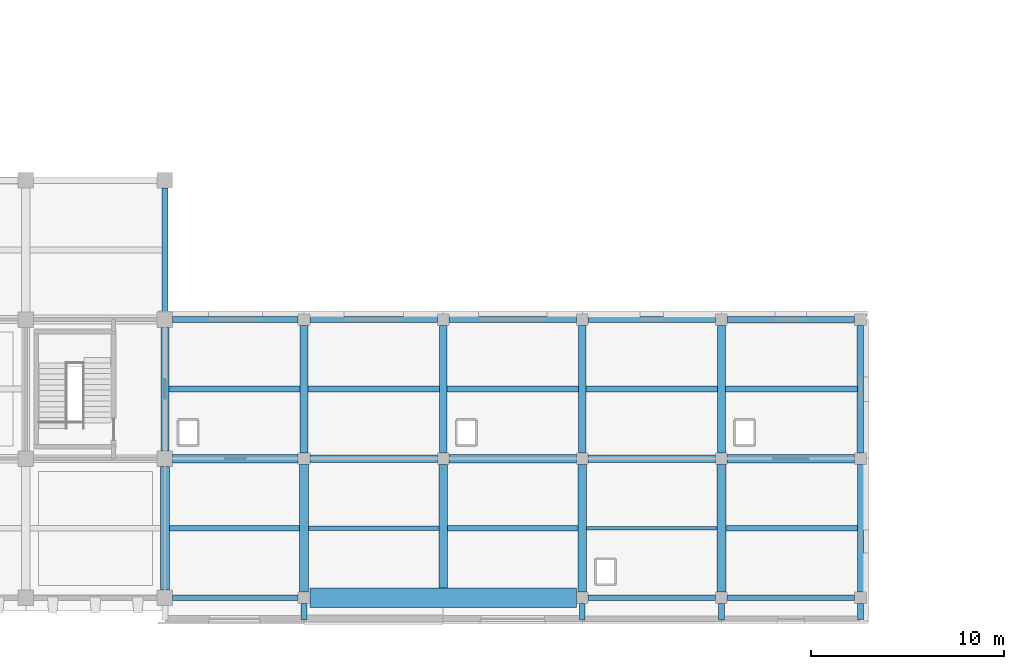
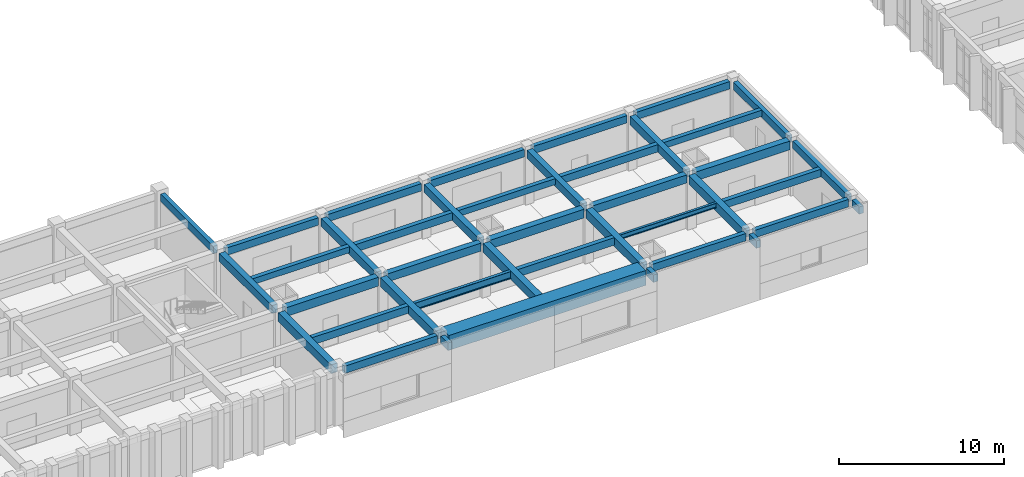
# One storey, part 7 of 70: 39 beams, 2 members.
"""IFC4 building model written with IfcOpenShell, lengths in metres."""

from ifc_helpers import new_model, si_unit, direction, frame, origin, origin_2d, place, context, subcontext, project, spatial, rectangle, i_section, extrude, material, material_profile, profile_set, type_object, element, save


model = new_model("IFC4")

# Units and contexts
model_context = context("Model", 3, precision=1e-05, world=origin(), true_north=direction((0.0, 1.0)))
body_context = subcontext(model_context, "Body", "Model", "MODEL_VIEW")
ifc_project = project(units=[si_unit("LENGTHUNIT", "METRE"), si_unit("AREAUNIT", "SQUARE_METRE"), si_unit("VOLUMEUNIT", "CUBIC_METRE"), si_unit("PLANEANGLEUNIT", "RADIAN"), si_unit("MASSUNIT", "GRAM", prefix="KILO")], contexts=[model_context])

# Site, building, storey
site_placement = place(None, origin())
site = spatial("IfcSite", under=ifc_project, at=site_placement, CompositionType="ELEMENT")
building_placement = place(site_placement, origin())
building = spatial("IfcBuilding", under=site, at=building_placement, Name="Kavelor Marine Aquarium", CompositionType="ELEMENT")
storey_placement = place(building_placement, frame((0.0, 0.0, 9.179931640625)))
storey = spatial("IfcBuildingStorey", under=building, at=storey_placement, Name="L02", CompositionType="ELEMENT", Elevation=9.179931640625)

# Beams
ifc_material_1 = material(Name="Concrete C40/50", Category="concrete")
ifc_material_profile_1 = material_profile(ifc_material_1, rectangle(XDim=0.449951171875, YDim=0.64990234375, at=origin_2d()), Name="RC-BM 450x650")
ifc_profile_set_1 = profile_set([ifc_material_profile_1], Name="Concrete C40/50")
beam_type_1 = type_object("IfcBeamType", Name="BM-B3", PredefinedType="BEAM", material=ifc_profile_set_1)
beam_1_placement = place(storey_placement, frame((68.39990234375, 10.0, 3.715087890625), z_axis=(1.0, 0.0, 0.0), x_axis=(0.0, 1.0, 0.0)))
element("IfcBeam", 1, at=beam_1_placement, inside=storey, type_object=beam_type_1, Name="bm:x:L02:L03:09_01", PredefinedType="BEAM", context=body_context, shape_type="SweptSolid", body=[
    extrude(rectangle(XDim=0.449951171875, YDim=0.64990234375, at=origin_2d()), origin(), (0.0, 0.0, 1.0), 6.5),
])
beam_2_placement = place(storey_placement, frame((82.699951171875, 10.0, 3.715087890625), z_axis=(1.0, 0.0, 0.0), x_axis=(0.0, 1.0, 0.0)))
element("IfcBeam", 2, at=beam_2_placement, inside=storey, type_object=beam_type_1, Name="bm:x:L02:L03:11_01", PredefinedType="BEAM", context=body_context, shape_type="SweptSolid", body=[
    extrude(rectangle(XDim=0.449951171875, YDim=0.64990234375, at=origin_2d()), origin(), (0.0, 0.0, 1.0), 6.60009765625),
])
beam_3_placement = place(storey_placement, frame((97.10009765625, 10.0, 3.715087890625), z_axis=(1.0, 0.0, 0.0), x_axis=(0.0, 1.0, 0.0)))
element("IfcBeam", 3, at=beam_3_placement, inside=storey, type_object=beam_type_1, Name="bm:x:L02:L03:13_01", PredefinedType="BEAM", context=body_context, shape_type="SweptSolid", body=[
    extrude(rectangle(XDim=0.449951171875, YDim=0.64990234375, at=origin_2d()), origin(), (0.0, 0.0, 1.0), 6.599853515625),
])
beam_4_placement = place(storey_placement, frame((68.0, 3.199951171875, 3.695068359375), z_axis=(0.0, 1.0, 0.0), x_axis=(-1.0, 0.0, 0.0)))
element("IfcBeam", 4, at=beam_4_placement, inside=storey, type_object=beam_type_1, Name="bm:y:L02:L03:09_00", PredefinedType="BEAM", context=body_context, shape_type="SweptSolid", body=[
    extrude(rectangle(XDim=0.449951171875, YDim=0.64990234375, at=origin_2d()), origin(), (0.0, 0.0, 1.0), 6.400146484375),
])
beam_5_placement = place(storey_placement, frame((75.199951171875, 3.10009765625, 3.715087890625), z_axis=(0.0, 1.0, 0.0), x_axis=(-1.0, 0.0, 0.0)))
element("IfcBeam", 5, at=beam_5_placement, inside=storey, type_object=beam_type_1, Name="bm:y:L02:L03:10_00", PredefinedType="BEAM", context=body_context, shape_type="SweptSolid", body=[
    extrude(rectangle(XDim=0.449951171875, YDim=0.64990234375, at=origin_2d()), origin(), (0.0, 0.0, 1.0), 6.599853515625),
])
beam_6_placement = place(storey_placement, frame((82.39990234375, 3.300048828125, 3.715087890625), z_axis=(0.0, 1.0, 0.0), x_axis=(-1.0, 0.0, 0.0)))
element("IfcBeam", 6, at=beam_6_placement, inside=storey, type_object=beam_type_1, Name="bm:y:L02:L03:11_00", PredefinedType="BEAM", context=body_context, shape_type="SweptSolid", body=[
    extrude(rectangle(XDim=0.449951171875, YDim=0.64990234375, at=origin_2d()), origin(), (0.0, 0.0, 1.0), 6.39990234375),
])
for number, where, z_axis, x_axis, name in (
    (7, (89.60009765625, 3.10009765625, 3.715087890625), (0.0, 1.0, 0.0), (-1.0, 0.0, 0.0), "bm:y:L02:L03:12_00"),
    (8, (96.800048828125, 3.10009765625, 3.715087890625), (0.0, 1.0, 0.0), (-1.0, 0.0, 0.0), "bm:y:L02:L03:13_00"),
):
    element("IfcBeam", number, at=place(storey_placement, frame(where, z_axis=z_axis, x_axis=x_axis)), inside=storey, type_object=beam_type_1, Name=name, PredefinedType="BEAM", context=body_context, shape_type="SweptSolid", body=[
        extrude(rectangle(XDim=0.449951171875, YDim=0.64990234375, at=origin_2d()), origin(), (0.0, 0.0, 1.0), 6.599853515625),
    ])
ifc_material_2 = material(Name="Concrete C40/50", Category="concrete")
ifc_material_profile_2 = material_profile(ifc_material_2, rectangle(XDim=0.39990234375, YDim=0.60009765625, at=origin_2d()), Name="RC-BM 400x600")
ifc_profile_set_2 = profile_set([ifc_material_profile_2], Name="Concrete C40/50")
beam_type_2 = type_object("IfcBeamType", Name="BM-B4", PredefinedType="BEAM", material=ifc_profile_set_2)
for number, where, z_axis, x_axis, name in (
    (9, (75.5, 10.0, 3.739990234375), (1.0, 0.0, 0.0), (0.0, 1.0, 0.0), "bm:x:L02:L03:10_01"),
    (10, (89.89990234375, 10.0, 3.739990234375), (1.0, 0.0, 0.0), (0.0, 1.0, 0.0), "bm:x:L02:L03:12_01"),
):
    element("IfcBeam", number, at=place(storey_placement, frame(where, z_axis=z_axis, x_axis=x_axis)), inside=storey, type_object=beam_type_2, Name=name, PredefinedType="BEAM", context=body_context, shape_type="SweptSolid", body=[
        extrude(rectangle(XDim=0.39990234375, YDim=0.60009765625, at=origin_2d()), origin(), (0.0, 0.0, 1.0), 6.60009765625),
    ])
beam_7_placement = place(storey_placement, frame((68.0, 10.39990234375, 3.739990234375), z_axis=(0.0, 1.0, 0.0), x_axis=(-1.0, 0.0, 0.0)))
element("IfcBeam", 11, at=beam_7_placement, inside=storey, type_object=beam_type_2, Name="bm:y:L02:L03:09_01", PredefinedType="BEAM", context=body_context, shape_type="SweptSolid", body=[
    extrude(rectangle(XDim=0.39990234375, YDim=0.60009765625, at=origin_2d()), origin(), (0.0, 0.0, 1.0), 6.400146484375),
])
for number, where, z_axis, x_axis, name in (
    (12, (75.199951171875, 10.300048828125, 3.739990234375), (0.0, 1.0, 0.0), (-1.0, 0.0, 0.0), "bm:y:L02:L03:10_01"),
    (13, (82.39990234375, 10.300048828125, 3.739990234375), (0.0, 1.0, 0.0), (-1.0, 0.0, 0.0), "bm:y:L02:L03:11_01"),
    (14, (89.60009765625, 10.300048828125, 3.739990234375), (0.0, 1.0, 0.0), (-1.0, 0.0, 0.0), "bm:y:L02:L03:12_01"),
    (15, (96.800048828125, 10.300048828125, 3.739990234375), (0.0, 1.0, 0.0), (-1.0, 0.0, 0.0), "bm:y:L02:L03:13_01"),
):
    element("IfcBeam", number, at=place(storey_placement, frame(where, z_axis=z_axis, x_axis=x_axis)), inside=storey, type_object=beam_type_2, Name=name, PredefinedType="BEAM", context=body_context, shape_type="SweptSolid", body=[
        extrude(rectangle(XDim=0.39990234375, YDim=0.60009765625, at=origin_2d()), origin(), (0.0, 0.0, 1.0), 6.599853515625),
    ])
ifc_material_3 = material(Name="Concrete C40/50", Category="concrete")
ifc_material_profile_3 = material_profile(ifc_material_3, rectangle(XDim=0.300048828125, YDim=0.449951171875, at=origin_2d()), Name="RC-JS 300x450")
ifc_profile_set_3 = profile_set([ifc_material_profile_3], Name="Concrete C40/50")
beam_type_3 = type_object("IfcBeamType", Name="BM-JS1", PredefinedType="JOIST", material=ifc_profile_set_3)
beam_8_placement = place(storey_placement, frame((68.199951171875, 13.60009765625, 3.815185546875), z_axis=(1.0, 0.0, 0.0), x_axis=(0.0, 1.0, 0.0)))
element("IfcBeam", 16, at=beam_8_placement, inside=storey, type_object=beam_type_3, Name="js:L02:L03:09_01", PredefinedType="JOIST", context=body_context, shape_type="SweptSolid", body=[
    extrude(rectangle(XDim=0.300048828125, YDim=0.449951171875, at=origin_2d()), origin(), (0.0, 0.0, 1.0), 6.800048828125),
])
beam_9_placement = place(storey_placement, frame((82.60009765625, 13.60009765625, 3.815185546875), z_axis=(1.0, 0.0, 0.0), x_axis=(0.0, 1.0, 0.0)))
element("IfcBeam", 17, at=beam_9_placement, inside=storey, type_object=beam_type_3, Name="js:L02:L03:11_01", PredefinedType="JOIST", context=body_context, shape_type="SweptSolid", body=[
    extrude(rectangle(XDim=0.300048828125, YDim=0.449951171875, at=origin_2d()), origin(), (0.0, 0.0, 1.0), 6.7998046875),
])
beam_10_placement = place(storey_placement, frame((97.0, 13.60009765625, 3.815185546875), z_axis=(1.0, 0.0, 0.0), x_axis=(0.0, 1.0, 0.0)))
element("IfcBeam", 18, at=beam_10_placement, inside=storey, type_object=beam_type_3, Name="js:L02:L03:13_01", PredefinedType="JOIST", context=body_context, shape_type="SweptSolid", body=[
    extrude(rectangle(XDim=0.300048828125, YDim=0.449951171875, at=origin_2d()), origin(), (0.0, 0.0, 1.0), 6.85009765625),
])
ifc_material_4 = material(Name="Concrete C40/50", Category="concrete")
ifc_material_profile_4 = material_profile(ifc_material_4, rectangle(XDim=0.300048828125, YDim=0.550048828125, at=origin_2d()), Name="RC-JS 300x550")
ifc_profile_set_4 = profile_set([ifc_material_profile_4], Name="Concrete C40/50")
beam_type_4 = type_object("IfcBeamType", Name="BM-JS2", PredefinedType="JOIST", material=ifc_profile_set_4)
beam_11_placement = place(storey_placement, frame((68.22509765625, 6.39990234375, 3.76513671875), z_axis=(1.0, 0.0, 0.0), x_axis=(0.0, 1.0, 0.0)))
element("IfcBeam", 19, at=beam_11_placement, inside=storey, type_object=beam_type_4, Name="js:L02:L03:09_00", PredefinedType="JOIST", context=body_context, shape_type="SweptSolid", body=[
    extrude(rectangle(XDim=0.300048828125, YDim=0.550048828125, at=origin_2d()), origin(), (0.0, 0.0, 1.0), 6.75),
])
beam_12_placement = place(storey_placement, frame((75.39990234375, 13.60009765625, 3.76513671875), z_axis=(1.0, 0.0, 0.0), x_axis=(0.0, 1.0, 0.0)))
element("IfcBeam", 20, at=beam_12_placement, inside=storey, type_object=beam_type_4, Name="js:L02:L03:10_01", PredefinedType="JOIST", context=body_context, shape_type="SweptSolid", body=[
    extrude(rectangle(XDim=0.300048828125, YDim=0.550048828125, at=origin_2d()), origin(), (0.0, 0.0, 1.0), 6.800048828125),
])
beam_13_placement = place(storey_placement, frame((82.625, 6.39990234375, 3.76513671875), z_axis=(1.0, 0.0, 0.0), x_axis=(0.0, 1.0, 0.0)))
element("IfcBeam", 21, at=beam_13_placement, inside=storey, type_object=beam_type_4, Name="js:L02:L03:11_00", PredefinedType="JOIST", context=body_context, shape_type="SweptSolid", body=[
    extrude(rectangle(XDim=0.300048828125, YDim=0.550048828125, at=origin_2d()), origin(), (0.0, 0.0, 1.0), 6.75),
])
beam_14_placement = place(storey_placement, frame((89.800048828125, 13.60009765625, 3.76513671875), z_axis=(1.0, 0.0, 0.0), x_axis=(0.0, 1.0, 0.0)))
element("IfcBeam", 22, at=beam_14_placement, inside=storey, type_object=beam_type_4, Name="js:L02:L03:12_01", PredefinedType="JOIST", context=body_context, shape_type="SweptSolid", body=[
    extrude(rectangle(XDim=0.300048828125, YDim=0.550048828125, at=origin_2d()), origin(), (0.0, 0.0, 1.0), 6.800048828125),
])
beam_15_placement = place(storey_placement, frame((97.02490234375, 6.39990234375, 3.76513671875), z_axis=(1.0, 0.0, 0.0), x_axis=(0.0, 1.0, 0.0)))
element("IfcBeam", 23, at=beam_15_placement, inside=storey, type_object=beam_type_4, Name="js:L02:L03:13_00", PredefinedType="JOIST", context=body_context, shape_type="SweptSolid", body=[
    extrude(rectangle(XDim=0.300048828125, YDim=0.550048828125, at=origin_2d()), origin(), (0.0, 0.0, 1.0), 6.8251953125),
])
ifc_material_5 = material(Name="Concrete C40/50", Category="concrete")
ifc_material_profile_5 = material_profile(ifc_material_5, rectangle(XDim=0.300048828125, YDim=0.550048828125, at=origin_2d()), Name="RC-SP 300x550")
ifc_profile_set_5 = profile_set([ifc_material_profile_5], Name="Concrete C40/50")
beam_type_5 = type_object("IfcBeamType", Name="BM-SP2", PredefinedType="SPANDREL", material=ifc_profile_set_5)
for number, where, z_axis, x_axis, name in (
    (24, (68.39990234375, 2.800048828125, 3.76513671875), (1.0, 0.0, 0.0), (0.0, 1.0, 0.0), "bm:x:L02:L03:09_00"),
    (25, (68.39990234375, 17.199951171875, 3.76513671875), (1.0, 0.0, 0.0), (0.0, 1.0, 0.0), "bm:x:L02:L03:09_02"),
):
    element("IfcBeam", number, at=place(storey_placement, frame(where, z_axis=z_axis, x_axis=x_axis)), inside=storey, type_object=beam_type_5, Name=name, PredefinedType="SPANDREL", context=body_context, shape_type="SweptSolid", body=[
        extrude(rectangle(XDim=0.300048828125, YDim=0.550048828125, at=origin_2d()), origin(), (0.0, 0.0, 1.0), 6.5),
    ])
for number, where, z_axis, x_axis, name in (
    (26, (75.5, 17.199951171875, 3.76513671875), (1.0, 0.0, 0.0), (0.0, 1.0, 0.0), "bm:x:L02:L03:10_02"),
    (27, (82.699951171875, 17.199951171875, 3.76513671875), (1.0, 0.0, 0.0), (0.0, 1.0, 0.0), "bm:x:L02:L03:11_02"),
    (28, (89.89990234375, 2.800048828125, 3.76513671875), (1.0, 0.0, 0.0), (0.0, 1.0, 0.0), "bm:x:L02:L03:12_00"),
    (29, (89.89990234375, 17.199951171875, 3.76513671875), (1.0, 0.0, 0.0), (0.0, 1.0, 0.0), "bm:x:L02:L03:12_02"),
):
    element("IfcBeam", number, at=place(storey_placement, frame(where, z_axis=z_axis, x_axis=x_axis)), inside=storey, type_object=beam_type_5, Name=name, PredefinedType="SPANDREL", context=body_context, shape_type="SweptSolid", body=[
        extrude(rectangle(XDim=0.300048828125, YDim=0.550048828125, at=origin_2d()), origin(), (0.0, 0.0, 1.0), 6.60009765625),
    ])
for number, where, z_axis, x_axis, name in (
    (30, (97.10009765625, 2.800048828125, 3.76513671875), (1.0, 0.0, 0.0), (0.0, 1.0, 0.0), "bm:x:L02:L03:13_00"),
    (31, (97.10009765625, 17.199951171875, 3.76513671875), (1.0, 0.0, 0.0), (0.0, 1.0, 0.0), "bm:x:L02:L03:13_02"),
):
    element("IfcBeam", number, at=place(storey_placement, frame(where, z_axis=z_axis, x_axis=x_axis)), inside=storey, type_object=beam_type_5, Name=name, PredefinedType="SPANDREL", context=body_context, shape_type="SweptSolid", body=[
        extrude(rectangle(XDim=0.300048828125, YDim=0.550048828125, at=origin_2d()), origin(), (0.0, 0.0, 1.0), 6.599853515625),
    ])
beam_16_placement = place(storey_placement, frame((68.0, 17.60009765625, 3.76513671875), z_axis=(0.0, 1.0, 0.0), x_axis=(-1.0, 0.0, 0.0)))
element("IfcBeam", 32, at=beam_16_placement, inside=storey, type_object=beam_type_5, Name="bm:y:L02:L03:09_02", PredefinedType="SPANDREL", context=body_context, shape_type="SweptSolid", body=[
    extrude(rectangle(XDim=0.300048828125, YDim=0.550048828125, at=origin_2d()), origin(), (0.0, 0.0, 1.0), 6.39990234375),
])
for number, where, z_axis, x_axis, name in (
    (33, (104.0, 3.10009765625, 3.76513671875), (0.0, 1.0, 0.0), (-1.0, 0.0, 0.0), "bm:y:L02:L03:14_00"),
    (34, (104.0, 10.300048828125, 3.76513671875), (0.0, 1.0, 0.0), (-1.0, 0.0, 0.0), "bm:y:L02:L03:14_01"),
):
    element("IfcBeam", number, at=place(storey_placement, frame(where, z_axis=z_axis, x_axis=x_axis)), inside=storey, type_object=beam_type_5, Name=name, PredefinedType="SPANDREL", context=body_context, shape_type="SweptSolid", body=[
        extrude(rectangle(XDim=0.300048828125, YDim=0.550048828125, at=origin_2d()), origin(), (0.0, 0.0, 1.0), 6.599853515625),
    ])
for number, where, z_axis, x_axis, name in (
    (35, (75.199951171875, 1.639892578125, 3.76513671875), (0.0, 1.0, 0.0), (-1.0, 0.0, 0.0), "bm:out:s:L02:L03:10"),
    (36, (89.60009765625, 1.639892578125, 3.76513671875), (0.0, 1.0, 0.0), (-1.0, 0.0, 0.0), "bm:out:s:L02:L03:12"),
    (37, (96.800048828125, 1.639892578125, 3.76513671875), (0.0, 1.0, 0.0), (-1.0, 0.0, 0.0), "bm:out:s:L02:L03:13"),
    (38, (104.0, 1.639892578125, 3.76513671875), (0.0, 1.0, 0.0), (-1.0, 0.0, 0.0), "bm:out:s:L02:L03:14"),
):
    element("IfcBeam", number, at=place(storey_placement, frame(where, z_axis=z_axis, x_axis=x_axis)), inside=storey, type_object=beam_type_5, Name=name, PredefinedType="SPANDREL", context=body_context, shape_type="SweptSolid", body=[
        extrude(rectangle(XDim=0.300048828125, YDim=0.550048828125, at=origin_2d()), origin(), (0.0, 0.0, 1.0), 0.860107421875),
    ])
ifc_material_6 = material(Name="Concrete C45/55", Category="concrete")
ifc_material_profile_6 = material_profile(ifc_material_6, rectangle(XDim=1.0, YDim=1.10009765625, at=origin_2d()), Name="RC-TG 1000x1100")
ifc_profile_set_6 = profile_set([ifc_material_profile_6], Name="Concrete C45/55")
beam_type_6 = type_object("IfcBeamType", Name="BM-TG1", PredefinedType="BEAM", material=ifc_profile_set_6)
beam_17_placement = place(storey_placement, frame((75.5, 2.800048828125, 3.489990234375), z_axis=(1.0, 0.0, 0.0), x_axis=(0.0, 1.0, 0.0)))
element("IfcBeam", 39, at=beam_17_placement, inside=storey, type_object=beam_type_6, Name="bm:x:L02:L03:10_00_span", PredefinedType="BEAM", context=body_context, shape_type="SweptSolid", body=[
    extrude(rectangle(XDim=1.0, YDim=1.10009765625, at=origin_2d()), origin(), (0.0, 0.0, 1.0), 13.800048828125),
])

# Members
ifc_material_7 = material(Name="Steel S355", Category="steel")
ifc_material_profile_7 = material_profile(ifc_material_7, i_section(OverallWidth=0.2099609375, OverallDepth=0.550048828125, WebThickness=0.010986328125, FlangeThickness=0.01708984375, FilletRadius=0.02392578125, at=origin_2d()), Name="IPE 550")
ifc_profile_set_7 = profile_set([ifc_material_profile_7], Name="Steel S355")
member_type_1 = type_object("IfcMemberType", Name="PR-SJ1", PredefinedType="PURLIN", material=ifc_profile_set_7)
member_1_placement = place(storey_placement, frame((75.425048828125, 6.39990234375, 3.76513671875), z_axis=(1.0, 0.0, 0.0), x_axis=(0.0, 1.0, 0.0)))
element("IfcMember", 40, at=member_1_placement, inside=storey, type_object=member_type_1, Name="js:L02:L03:10_00", PredefinedType="PURLIN", context=body_context, shape_type="SweptSolid", body=[
    extrude(i_section(OverallWidth=0.2099609375, OverallDepth=0.550048828125, WebThickness=0.010986328125, FlangeThickness=0.01708984375, FilletRadius=0.02392578125, at=origin_2d()), origin(), (0.0, 0.0, 1.0), 6.75),
])
ifc_material_8 = material(Name="Steel S355", Category="steel")
ifc_material_profile_8 = material_profile(ifc_material_8, i_section(OverallWidth=0.169921875, OverallDepth=0.360107421875, WebThickness=0.008056640625, FlangeThickness=0.0126953125, FilletRadius=0.01806640625, at=origin_2d()), Name="IPE 360")
ifc_profile_set_8 = profile_set([ifc_material_profile_8], Name="Steel S355")
member_type_2 = type_object("IfcMemberType", Name="PR-SJ3", PredefinedType="PURLIN", material=ifc_profile_set_8)
member_2_placement = place(storey_placement, frame((89.824951171875, 6.39990234375, 3.860107421875), z_axis=(1.0, 0.0, 0.0), x_axis=(0.0, 1.0, 0.0)))
element("IfcMember", 41, at=member_2_placement, inside=storey, type_object=member_type_2, Name="js:L02:L03:12_00", PredefinedType="PURLIN", context=body_context, shape_type="SweptSolid", body=[
    extrude(i_section(OverallWidth=0.169921875, OverallDepth=0.360107421875, WebThickness=0.008056640625, FlangeThickness=0.0126953125, FilletRadius=0.01806640625, at=origin_2d()), origin(), (0.0, 0.0, 1.0), 6.75),
])

save(model, "model.ifc")
